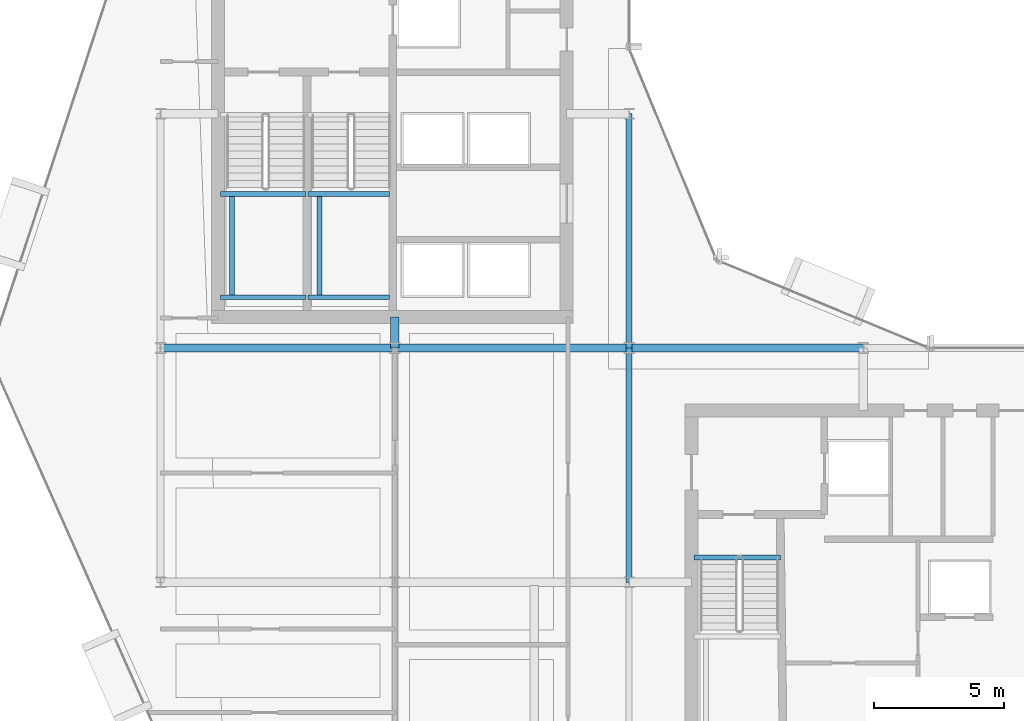
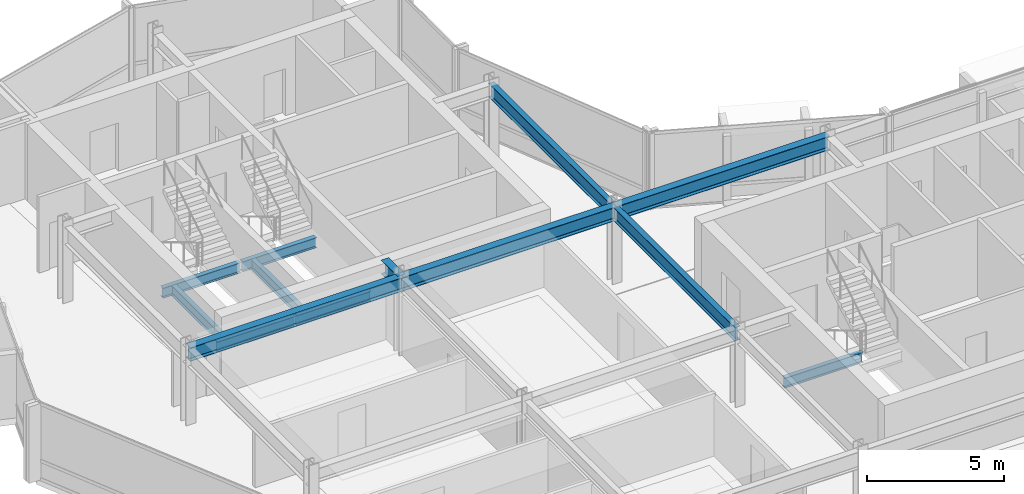
# One storey, part 7 of 27: 13 beams.
"""IFC4 building model written with IfcOpenShell, lengths in metres."""

from ifc_helpers import new_model, si_unit, direction, frame, origin, origin_2d, place, context, subcontext, project, spatial, i_section, extrude, material, material_profile, profile_set, type_object, element, save


model = new_model("IFC4")

# Units and contexts
model_context = context("Model", 3, precision=1e-05, world=origin(), true_north=direction((0.0, 1.0)))
body_context = subcontext(model_context, "Body", "Model", "MODEL_VIEW")
ifc_project = project(units=[si_unit("LENGTHUNIT", "METRE"), si_unit("AREAUNIT", "SQUARE_METRE"), si_unit("VOLUMEUNIT", "CUBIC_METRE"), si_unit("PLANEANGLEUNIT", "RADIAN"), si_unit("MASSUNIT", "GRAM", prefix="KILO")], contexts=[model_context])

# Site, building, storey
site_placement = place(None, origin())
site = spatial("IfcSite", under=ifc_project, at=site_placement, CompositionType="ELEMENT")
building_placement = place(site_placement, origin())
building = spatial("IfcBuilding", under=site, at=building_placement, Name="Solvaryn Broadcast Tower", CompositionType="ELEMENT")
storey_placement = place(building_placement, frame((0.0, 0.0, 185.300048828125)))
storey = spatial("IfcBuildingStorey", under=building, at=storey_placement, Name="L46", CompositionType="ELEMENT", Elevation=185.300048828125)

# Beams
ifc_material_1 = material(Name="Steel ASTM A992 Grade 50", Category="steel")
ifc_material_profile_1 = material_profile(ifc_material_1, i_section(OverallWidth=0.323974609375, OverallDepth=0.611083984375, WebThickness=0.0126953125, FlangeThickness=0.01904296875, FilletRadius=0.014892578125, at=origin_2d()))
ifc_profile_set_1 = profile_set([ifc_material_profile_1], Name="Steel ASTM A992 Grade 50")
beam_type_1 = type_object("IfcBeamType", Name="BM-B1-W24X104", PredefinedType="BEAM", material=ifc_profile_set_1)
for number, where, z_axis, x_axis, name in (
    (1, (9.0, 27.0, 3.114501953125), (1.0, 0.0, 0.0), (0.0, 1.0, 0.0), "L46 Primary Beam X (9-18 @ Y=27)"),
    (2, (18.0, 27.0, 3.114501953125), (1.0, 0.0, 0.0), (0.0, 1.0, 0.0), "L46 Primary Beam X (18-27 @ Y=27)"),
    (3, (27.0, 27.0, 3.114501953125), (1.0, 0.0, 0.0), (0.0, 1.0, 0.0), "L46 Primary Beam X (27-36 @ Y=27)"),
):
    element("IfcBeam", number, at=place(storey_placement, frame(where, z_axis=z_axis, x_axis=x_axis)), inside=storey, type_object=beam_type_1, Name=name, PredefinedType="BEAM", context=body_context, shape_type="SweptSolid", body=[
        extrude(i_section(OverallWidth=0.323974609375, OverallDepth=0.611083984375, WebThickness=0.0126953125, FlangeThickness=0.01904296875, FilletRadius=0.014892578125, at=origin_2d()), origin(), (0.0, 0.0, 1.0), 9.0),
    ])
beam_1_placement = place(storey_placement, frame((18.0, 27.0, 3.114501953125), z_axis=(0.0, 1.0, 0.0), x_axis=(-1.0, 0.0, 0.0)))
element("IfcBeam", 4, at=beam_1_placement, inside=storey, type_object=beam_type_1, Name="L46 Core Tie Beam CTW4", PredefinedType="BEAM", context=body_context, shape_type="SweptSolid", body=[
    extrude(i_section(OverallWidth=0.323974609375, OverallDepth=0.611083984375, WebThickness=0.0126953125, FlangeThickness=0.01904296875, FilletRadius=0.014892578125, at=origin_2d()), origin(), (0.0, 0.0, 1.0), 1.199951171875),
])
ifc_material_2 = material(Name="Steel ASTM A992 Grade 50", Category="steel")
ifc_material_profile_2 = material_profile(ifc_material_2, i_section(OverallWidth=0.22802734375, OverallDepth=0.60791015625, WebThickness=0.01123046875, FlangeThickness=0.017333984375, FilletRadius=0.014892578125, at=origin_2d()))
ifc_profile_set_2 = profile_set([ifc_material_profile_2], Name="Steel ASTM A992 Grade 50")
beam_type_2 = type_object("IfcBeamType", Name="BM-B2-W24X76", PredefinedType="BEAM", material=ifc_profile_set_2)
for number, where, z_axis, x_axis, name in (
    (5, (27.0, 18.0, 3.115966796875), (0.0, 1.0, 0.0), (-1.0, 0.0, 0.0), "L46 Primary Beam Y (18-27 @ X=27)"),
    (6, (27.0, 27.0, 3.115966796875), (0.0, 1.0, 0.0), (-1.0, 0.0, 0.0), "L46 Primary Beam Y (27-36 @ X=27)"),
):
    element("IfcBeam", number, at=place(storey_placement, frame(where, z_axis=z_axis, x_axis=x_axis)), inside=storey, type_object=beam_type_2, Name=name, PredefinedType="BEAM", context=body_context, shape_type="SweptSolid", body=[
        extrude(i_section(OverallWidth=0.22802734375, OverallDepth=0.60791015625, WebThickness=0.01123046875, FlangeThickness=0.017333984375, FilletRadius=0.014892578125, at=origin_2d()), origin(), (0.0, 0.0, 1.0), 9.0),
    ])
ifc_material_3 = material(Name="Steel ASTM A992 Grade 50", Category="steel")
ifc_material_profile_3 = material_profile(ifc_material_3, i_section(OverallWidth=0.18994140625, OverallDepth=0.45703125, WebThickness=0.009033203125, FlangeThickness=0.014404296875, FilletRadius=0.011962890625, at=origin_2d()))
ifc_profile_set_3 = profile_set([ifc_material_profile_3], Name="Steel ASTM A992 Grade 50")
beam_type_3 = type_object("IfcBeamType", Name="BM-B4-W18X50", PredefinedType="BEAM", material=ifc_profile_set_3)
for number, where, z_axis, x_axis, name in (
    (7, (11.300048828125, 28.949951171875, 1.42138671875), (1.0, 0.0, 0.0), (0.0, 1.0, 0.0), "L46 ST1 Landing Support Beam 1A"),
    (8, (11.300048828125, 32.909912109375, 1.42138671875), (1.0, 0.0, 0.0), (0.0, 1.0, 0.0), "L46 ST1 Landing Support Beam 1B"),
):
    element("IfcBeam", number, at=place(storey_placement, frame(where, z_axis=z_axis, x_axis=x_axis)), inside=storey, type_object=beam_type_3, Name=name, PredefinedType="BEAM", context=body_context, shape_type="SweptSolid", body=[
        extrude(i_section(OverallWidth=0.18994140625, OverallDepth=0.45703125, WebThickness=0.009033203125, FlangeThickness=0.014404296875, FilletRadius=0.011962890625, at=origin_2d()), origin(), (0.0, 0.0, 1.0), 3.280029296875),
    ])
beam_2_placement = place(storey_placement, frame((11.75, 28.949951171875, 1.42138671875), z_axis=(0.0, 1.0, 0.0), x_axis=(-1.0, 0.0, 0.0)))
element("IfcBeam", 9, at=beam_2_placement, inside=storey, type_object=beam_type_3, Name="L46 ST1 Landing Cross Stringer 1C", PredefinedType="BEAM", context=body_context, shape_type="SweptSolid", body=[
    extrude(i_section(OverallWidth=0.18994140625, OverallDepth=0.45703125, WebThickness=0.009033203125, FlangeThickness=0.014404296875, FilletRadius=0.011962890625, at=origin_2d()), origin(), (0.0, 0.0, 1.0), 3.9599609375),
])
for number, where, z_axis, x_axis, name in (
    (10, (14.659912109375, 28.949951171875, 1.42138671875), (1.0, 0.0, 0.0), (0.0, 1.0, 0.0), "L46 ST2 Landing Support Beam 1A"),
    (11, (14.659912109375, 32.909912109375, 1.42138671875), (1.0, 0.0, 0.0), (0.0, 1.0, 0.0), "L46 ST2 Landing Support Beam 1B"),
):
    element("IfcBeam", number, at=place(storey_placement, frame(where, z_axis=z_axis, x_axis=x_axis)), inside=storey, type_object=beam_type_3, Name=name, PredefinedType="BEAM", context=body_context, shape_type="SweptSolid", body=[
        extrude(i_section(OverallWidth=0.18994140625, OverallDepth=0.45703125, WebThickness=0.009033203125, FlangeThickness=0.014404296875, FilletRadius=0.011962890625, at=origin_2d()), origin(), (0.0, 0.0, 1.0), 3.14013671875),
    ])
beam_3_placement = place(storey_placement, frame((15.110107421875, 28.949951171875, 1.42138671875), z_axis=(0.0, 1.0, 0.0), x_axis=(-1.0, 0.0, 0.0)))
element("IfcBeam", 12, at=beam_3_placement, inside=storey, type_object=beam_type_3, Name="L46 ST2 Landing Cross Stringer 1C", PredefinedType="BEAM", context=body_context, shape_type="SweptSolid", body=[
    extrude(i_section(OverallWidth=0.18994140625, OverallDepth=0.45703125, WebThickness=0.009033203125, FlangeThickness=0.014404296875, FilletRadius=0.011962890625, at=origin_2d()), origin(), (0.0, 0.0, 1.0), 3.9599609375),
])
beam_4_placement = place(storey_placement, frame((29.5, 18.9599609375, -0.508544921875), z_axis=(1.0, 0.0, 0.0), x_axis=(0.0, 1.0, 0.0)))
element("IfcBeam", 13, at=beam_4_placement, inside=storey, type_object=beam_type_3, Name="L46 ST3 Stair Well Trimmer Beam", PredefinedType="BEAM", context=body_context, shape_type="SweptSolid", body=[
    extrude(i_section(OverallWidth=0.18994140625, OverallDepth=0.45703125, WebThickness=0.009033203125, FlangeThickness=0.014404296875, FilletRadius=0.011962890625, at=origin_2d()), origin(), (0.0, 0.0, 1.0), 3.320068359375),
])

save(model, "model.ifc")
